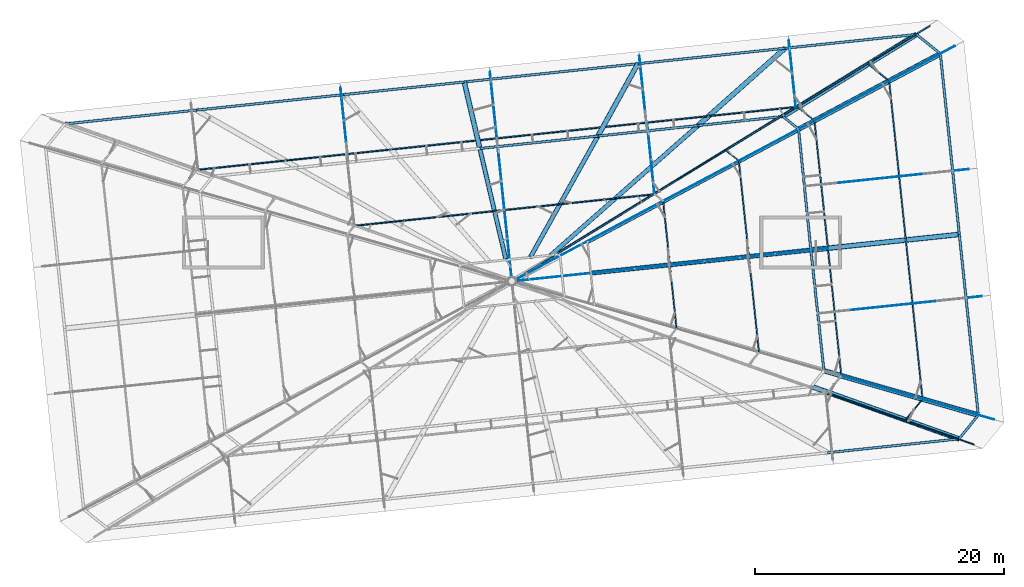
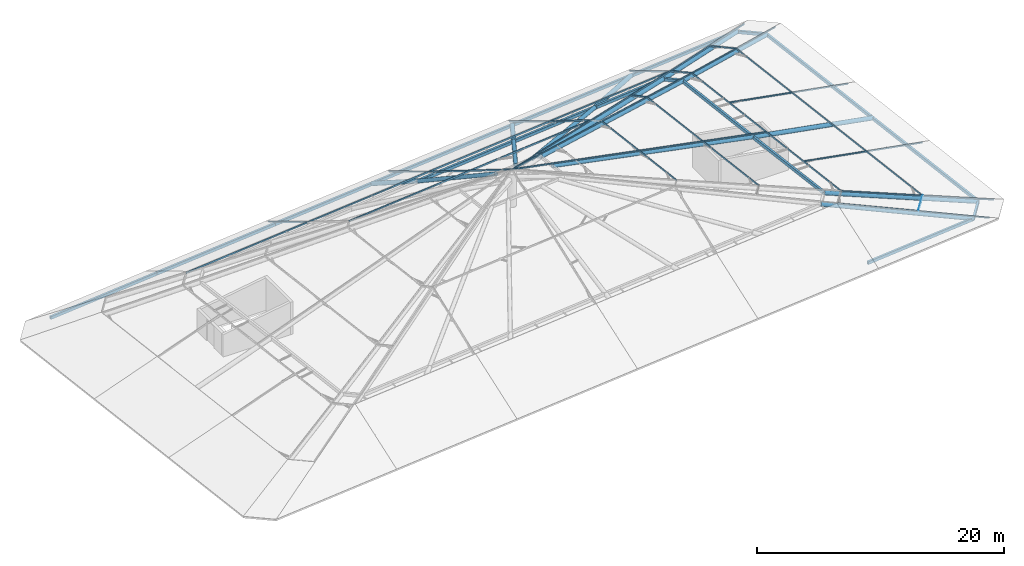
# One storey, part 3 of 20: 39 members, 17 beams, 7 elements without a shape of their own.
"""IFC4 building model written with IfcOpenShell, lengths in metres."""

from ifc_helpers import new_model, si_unit, direction, frame, origin, origin_2d, place, context, subcontext, project, spatial, rectangle, hollow_rectangle, hollow_circle, extrude, material, layer, layer_set, material_profile, profile_set, type_object, element, aggregate, save


model = new_model("IFC4")

# Units and contexts
model_context = context("Model", 3, precision=1e-05, world=origin(), true_north=direction((0.0, 1.0)))
body_context = subcontext(model_context, "Body", "Model", "MODEL_VIEW")
ifc_project = project(units=[si_unit("LENGTHUNIT", "METRE"), si_unit("AREAUNIT", "SQUARE_METRE"), si_unit("VOLUMEUNIT", "CUBIC_METRE"), si_unit("PLANEANGLEUNIT", "RADIAN"), si_unit("MASSUNIT", "GRAM", prefix="KILO")], contexts=[model_context])

# Site, building, storey
site_placement = place(None, origin())
site = spatial("IfcSite", under=ifc_project, at=site_placement, CompositionType="ELEMENT")
building_placement = place(site_placement, origin())
building = spatial("IfcBuilding", under=site, at=building_placement, Name="Hakoniwa Tower and Hamabe Station Hall", CompositionType="ELEMENT")
storey_placement = place(building_placement, frame((0.0, 0.0, 285.0)))
storey = spatial("IfcBuildingStorey", under=building, at=storey_placement, Name="Roof", CompositionType="ELEMENT", Elevation=285.0)

# Members
ifc_material_1 = material(Name="Steel STK490", Category="steel")
ifc_material_profile_1 = material_profile(ifc_material_1, hollow_circle(Radius=0.177734375, WallThickness=0.0126953125, at=origin_2d()), Name="CHS-355.6x12.7")
ifc_profile_set_1 = profile_set([ifc_material_profile_1], Name="Steel STK490")
member_type_1 = type_object("IfcMemberType", Name="CROWN RIB CHS-355.6x12.7", PredefinedType="MEMBER", material=ifc_profile_set_1)
member_1_placement = place(storey_placement, frame((14.938720703125, 15.014892578125, 3.199951171875), z_axis=(-0.709857797953, -0.62515777263, 0.324468281972), x_axis=(0.660915567268, -0.750460267398, 0.0)))
element("IfcMember", 1, at=member_1_placement, inside=storey, type_object=member_type_1, Name="CROWN FRAME CRB-03", PredefinedType="MEMBER", context=body_context, shape_type="SweptSolid", body=[
    extrude(hollow_circle(Radius=0.177734375, WallThickness=0.0126953125, at=origin_2d()), origin(), (0.0, 0.0, 1.0), 16.64306640625),
])
member_2_placement = place(storey_placement, frame((6.900390625, 14.170166015625, 3.199951171875), z_axis=(-0.438467169555, -0.785905684686, 0.43600320641), x_axis=(0.873281797417, -0.487215457781, 0.0)))
element("IfcMember", 2, at=member_2_placement, inside=storey, type_object=member_type_1, Name="CROWN FRAME CRB-04", PredefinedType="MEMBER", context=body_context, shape_type="SweptSolid", body=[
    extrude(hollow_circle(Radius=0.177734375, WallThickness=0.0126953125, at=origin_2d()), origin(), (0.0, 0.0, 1.0), 12.385498046875),
])
member_3_placement = place(storey_placement, frame((-2.584716796875, 13.173095703125, 3.199951171875), z_axis=(0.197231479814, -0.839196117526, 0.506803334341), x_axis=(0.973475697054, 0.228790443954, 0.0)))
element("IfcMember", 3, at=member_3_placement, inside=storey, type_object=member_type_1, Name="CROWN FRAME CRB-05", PredefinedType="MEMBER", context=body_context, shape_type="SweptSolid", body=[
    extrude(hollow_circle(Radius=0.177734375, WallThickness=0.0126953125, at=origin_2d()), origin(), (0.0, 0.0, 1.0), 10.6552734375),
])
member_4_placement = place(storey_placement, frame((23.9951171875, 5.02197265625, 3.199951171875), z_axis=(-0.960394605151, -0.100943997903, 0.259716213751), x_axis=(0.10453098016, -0.994521630829, 0.0)))
element("IfcMember", 4, at=member_4_placement, inside=storey, type_object=member_type_1, Name="CROWN FRAME CRB-20", PredefinedType="MEMBER", context=body_context, shape_type="SweptSolid", body=[
    extrude(hollow_circle(Radius=0.177734375, WallThickness=0.0126953125, at=origin_2d()), origin(), (0.0, 0.0, 1.0), 20.79248046875),
])
ifc_material_2 = material(Name="Steel STK490", Category="steel")
ifc_material_profile_2 = material_profile(ifc_material_2, hollow_circle(Radius=0.203125, WallThickness=0.01611328125, at=origin_2d()), Name="CHS-406.4x16")
ifc_profile_set_2 = profile_set([ifc_material_profile_2], Name="Steel STK490")
member_type_2 = type_object("IfcMemberType", Name="CROWN RIB CHS-406.4x16", PredefinedType="MEMBER", material=ifc_profile_set_2)
member_5_placement = place(storey_placement, frame((34.38818359375, 20.7802734375, 0.14990234375), z_axis=(-0.85925987518, -0.456795111235, 0.230240511767), x_axis=(0.46940629538, -0.88298229306, 0.0)))
element("IfcMember", 5, at=member_5_placement, inside=storey, type_object=member_type_2, Name="CROWN FRAME CH-1-1", PredefinedType="MEMBER", context=body_context, shape_type="SweptSolid", body=[
    extrude(hollow_circle(Radius=0.203125, WallThickness=0.01611328125, at=origin_2d()), origin(), (0.0, 0.0, 1.0), 13.247314453125),
])
member_6_placement = place(storey_placement, frame((23.00537109375, 14.72900390625, 3.199951171875), z_axis=(-0.856822837257, -0.455496060515, 0.24161532321), x_axis=(0.469403494722, -0.882983781925, 0.0)))
element("IfcMember", 6, at=member_6_placement, inside=storey, type_object=member_type_2, Name="CROWN FRAME CH-1-2", PredefinedType="MEMBER", context=body_context, shape_type="SweptSolid", body=[
    extrude(hollow_circle(Radius=0.203125, WallThickness=0.01611328125, at=origin_2d()), origin(), (0.0, 0.0, 1.0), 22.35009765625),
])
member_7_placement = place(storey_placement, frame((32.475341796875, 22.32958984375, 0.14990234375), z_axis=(-0.828119300179, -0.508656064684, 0.235557705308), x_axis=(0.523383896937, -0.852096999424, 0.0)))
element("IfcMember", 7, at=member_7_placement, inside=storey, type_object=member_type_2, Name="CROWN FRAME CH-2-1", PredefinedType="MEMBER", context=body_context, shape_type="SweptSolid", body=[
    extrude(hollow_circle(Radius=0.203125, WallThickness=0.01611328125, at=origin_2d()), origin(), (0.0, 0.0, 1.0), 12.9482421875),
])
member_8_placement = place(storey_placement, frame((21.752685546875, 15.743408203125, 3.199951171875), z_axis=(-0.825956394147, -0.506681479696, 0.247123275107), x_axis=(0.522899711615, -0.852394211379, 0.0)))
element("IfcMember", 8, at=member_8_placement, inside=storey, type_object=member_type_2, Name="CROWN FRAME CH-2-2", PredefinedType="MEMBER", context=body_context, shape_type="SweptSolid", body=[
    extrude(hollow_circle(Radius=0.203125, WallThickness=0.01611328125, at=origin_2d()), origin(), (0.0, 0.0, 1.0), 21.85205078125),
])
member_9_placement = place(storey_placement, frame((21.916748046875, 21.2197265625, 0.14990234375), z_axis=(-0.710360571468, -0.631649776918, 0.310493828961), x_axis=(0.664492032964, -0.747295348659, 0.0)))
element("IfcMember", 9, at=member_9_placement, inside=storey, type_object=member_type_2, Name="CROWN FRAME CRF-03", PredefinedType="MEMBER", context=body_context, shape_type="SweptSolid", body=[
    extrude(hollow_circle(Radius=0.203125, WallThickness=0.01611328125, at=origin_2d()), origin(), (0.0, 0.0, 1.0), 9.8232421875),
])
member_10_placement = place(storey_placement, frame((10.10498046875, 19.978271484375, 0.14990234375), z_axis=(-0.438917858324, -0.795509359252, 0.417751089749), x_axis=(0.875570168766, -0.48309096407, 0.0)))
element("IfcMember", 10, at=member_10_placement, inside=storey, type_object=member_type_2, Name="CROWN FRAME CRF-04", PredefinedType="MEMBER", context=body_context, shape_type="SweptSolid", body=[
    extrude(hollow_circle(Radius=0.203125, WallThickness=0.01611328125, at=origin_2d()), origin(), (0.0, 0.0, 1.0), 7.301025390625),
])
member_11_placement = place(storey_placement, frame((-3.832763671875, 18.51318359375, 0.14990234375), z_axis=(0.198888566942, -0.850995622988, 0.486055333882), x_axis=(0.973759380368, 0.227580028, 0.0)))
element("IfcMember", 11, at=member_11_placement, inside=storey, type_object=member_type_2, Name="CROWN FRAME CRF-05", PredefinedType="MEMBER", context=body_context, shape_type="SweptSolid", body=[
    extrude(hollow_circle(Radius=0.203125, WallThickness=0.01611328125, at=origin_2d()), origin(), (0.0, 0.0, 1.0), 6.275146484375),
])
member_12_placement = place(storey_placement, frame((35.888427734375, -10.14404296875, 0.14990234375), z_axis=(-0.915783870683, 0.325348487485, 0.235559469959), x_axis=(-0.334768905761, -0.942300259862, 0.0)))
element("IfcMember", 12, at=member_12_placement, inside=storey, type_object=member_type_2, Name="CROWN FRAME CH-7-1", PredefinedType="MEMBER", context=body_context, shape_type="SweptSolid", body=[
    extrude(hollow_circle(Radius=0.203125, WallThickness=0.01611328125, at=origin_2d()), origin(), (0.0, 0.0, 1.0), 12.947998046875),
])
member_13_placement = place(storey_placement, frame((37.4375, -8.231201171875, 0.14990234375), z_axis=(-0.935455863756, 0.268165611488, 0.230237989438), x_axis=(-0.275568949724, -0.961281308436, 0.0)))
element("IfcMember", 13, at=member_13_placement, inside=storey, type_object=member_type_2, Name="CROWN FRAME CH-8-1", PredefinedType="MEMBER", context=body_context, shape_type="SweptSolid", body=[
    extrude(hollow_circle(Radius=0.203125, WallThickness=0.01611328125, at=origin_2d()), origin(), (0.0, 0.0, 1.0), 13.247314453125),
])
member_14_placement = place(storey_placement, frame((35.9130859375, 6.274658203125, 0.14990234375), z_axis=(-0.963794183339, -0.101303424179, 0.246654390619), x_axis=(0.1045331311, -0.994521404748, 0.0)))
element("IfcMember", 14, at=member_14_placement, inside=storey, type_object=member_type_2, Name="CROWN FRAME CRF-20", PredefinedType="MEMBER", context=body_context, shape_type="SweptSolid", body=[
    extrude(hollow_circle(Radius=0.203125, WallThickness=0.01611328125, at=origin_2d()), origin(), (0.0, 0.0, 1.0), 12.36572265625),
])

# Beams
ifc_material_3 = material(Name="Steel STKR400", Category="steel")
ifc_material_profile_3 = material_profile(ifc_material_3, hollow_rectangle(XDim=0.199951171875, YDim=0.300048828125, WallThickness=0.009033203125, InnerFilletRadius=0.00439453125, OuterFilletRadius=0.013427734375, at=origin_2d()), Name="RHS-300x200x9")
ifc_profile_set_3 = profile_set([ifc_material_profile_3], Name="Steel STKR400")
beam_type = type_object("IfcBeamType", Name="CROWN RING BEAM RHS-300x200x9", PredefinedType="BEAM", material=ifc_profile_set_3)
beam_1_placement = place(storey_placement, frame((34.38818359375, 20.7802734375, 0.14990234375), z_axis=(-0.777080856479, 0.6294007805, 0.0), x_axis=(-0.6294007805, -0.777080856479, 0.0)))
element("IfcBeam", 15, at=beam_1_placement, inside=storey, type_object=beam_type, Name="CROWN FRAME CRA-01", PredefinedType="BEAM", context=body_context, shape_type="SweptSolid", body=[
    extrude(hollow_rectangle(XDim=0.199951171875, YDim=0.300048828125, WallThickness=0.009033203125, InnerFilletRadius=0.00439453125, OuterFilletRadius=0.013427734375, at=origin_2d()), origin(), (0.0, 0.0, 1.0), 2.461669921875),
])
beam_2_placement = place(storey_placement, frame((32.475341796875, 22.32958984375, 0.14990234375), z_axis=(-0.99452081471, -0.104538744535, 0.0), x_axis=(0.104538744535, -0.99452081471, 0.0)))
element("IfcBeam", 16, at=beam_2_placement, inside=storey, type_object=beam_type, Name="CROWN FRAME CRA-02", PredefinedType="BEAM", context=body_context, shape_type="SweptSolid", body=[
    extrude(hollow_rectangle(XDim=0.199951171875, YDim=0.300048828125, WallThickness=0.009033203125, InnerFilletRadius=0.00439453125, OuterFilletRadius=0.013427734375, at=origin_2d()), origin(), (0.0, 0.0, 1.0), 10.61669921875),
])
beam_3_placement = place(storey_placement, frame((21.916748046875, 21.2197265625, 0.14990234375), z_axis=(-0.994521997954, -0.104527487228, 0.0), x_axis=(0.104527487228, -0.994521997954, 0.0)))
element("IfcBeam", 17, at=beam_3_placement, inside=storey, type_object=beam_type, Name="CROWN FRAME CRA-03", PredefinedType="BEAM", context=body_context, shape_type="SweptSolid", body=[
    extrude(hollow_rectangle(XDim=0.199951171875, YDim=0.300048828125, WallThickness=0.009033203125, InnerFilletRadius=0.00439453125, OuterFilletRadius=0.013427734375, at=origin_2d()), origin(), (0.0, 0.0, 1.0), 11.876708984375),
])
beam_4_placement = place(storey_placement, frame((10.10498046875, 19.978271484375, 0.14990234375), z_axis=(-0.994520619808, -0.104540598705, 0.0), x_axis=(0.104540598705, -0.994520619808, 0.0)))
element("IfcBeam", 18, at=beam_4_placement, inside=storey, type_object=beam_type, Name="CROWN FRAME CRA-04", PredefinedType="BEAM", context=body_context, shape_type="SweptSolid", body=[
    extrude(hollow_rectangle(XDim=0.199951171875, YDim=0.300048828125, WallThickness=0.009033203125, InnerFilletRadius=0.00439453125, OuterFilletRadius=0.013427734375, at=origin_2d()), origin(), (0.0, 0.0, 1.0), 14.0146484375),
])
beam_5_placement = place(storey_placement, frame((-3.832763671875, 18.51318359375, 0.14990234375), z_axis=(-0.994523706989, -0.104511225409, 0.0), x_axis=(0.104511225409, -0.994523706989, 0.0)))
element("IfcBeam", 19, at=beam_5_placement, inside=storey, type_object=beam_type, Name="CROWN FRAME CRA-05", PredefinedType="BEAM", context=body_context, shape_type="SweptSolid", body=[
    extrude(hollow_rectangle(XDim=0.199951171875, YDim=0.300048828125, WallThickness=0.009033203125, InnerFilletRadius=0.00439453125, OuterFilletRadius=0.013427734375, at=origin_2d()), origin(), (0.0, 0.0, 1.0), 9.73876953125),
])
beam_6_placement = place(storey_placement, frame((-13.518310546875, 17.495361328125, 0.14990234375), z_axis=(-0.994521773352, -0.104529624173, 0.0), x_axis=(0.104529624173, -0.994521773352, 0.0)))
element("IfcBeam", 20, at=beam_6_placement, inside=storey, type_object=beam_type, Name="CROWN FRAME CRA-06", PredefinedType="BEAM", context=body_context, shape_type="SweptSolid", body=[
    extrude(hollow_rectangle(XDim=0.199951171875, YDim=0.300048828125, WallThickness=0.009033203125, InnerFilletRadius=0.00439453125, OuterFilletRadius=0.013427734375, at=origin_2d()), origin(), (0.0, 0.0, 1.0), 11.87646484375),
])
for number, where, z_axis, x_axis, name in (
    (21, (-25.329833984375, 16.25390625, 0.14990234375), (-0.99452081471, -0.104538744535, 0.0), (0.104538744535, -0.99452081471, 0.0), "CROWN FRAME CRA-07"),
    (22, (25.329833984375, -11.25390625, 0.14990234375), (0.99452081471, 0.104538744535, 0.0), (-0.104538744535, 0.99452081471, 0.0), "CROWN FRAME CRA-17"),
):
    element("IfcBeam", number, at=place(storey_placement, frame(where, z_axis=z_axis, x_axis=x_axis)), inside=storey, type_object=beam_type, Name=name, PredefinedType="BEAM", context=body_context, shape_type="SweptSolid", body=[
        extrude(hollow_rectangle(XDim=0.199951171875, YDim=0.300048828125, WallThickness=0.009033203125, InnerFilletRadius=0.00439453125, OuterFilletRadius=0.013427734375, at=origin_2d()), origin(), (0.0, 0.0, 1.0), 10.61669921875),
    ])
beam_7_placement = place(storey_placement, frame((35.888427734375, -10.14404296875, 0.14990234375), z_axis=(0.629340884158, 0.777129366017, 0.0), x_axis=(-0.777129366017, 0.629340884158, 0.0)))
element("IfcBeam", 23, at=beam_7_placement, inside=storey, type_object=beam_type, Name="CROWN FRAME CRA-18", PredefinedType="BEAM", context=body_context, shape_type="SweptSolid", body=[
    extrude(hollow_rectangle(XDim=0.199951171875, YDim=0.300048828125, WallThickness=0.009033203125, InnerFilletRadius=0.00439453125, OuterFilletRadius=0.013427734375, at=origin_2d()), origin(), (0.0, 0.0, 1.0), 2.46142578125),
])
beam_8_placement = place(storey_placement, frame((37.4375, -8.231201171875, 0.14990234375), z_axis=(-0.104514006356, 0.994523414745, 0.0), x_axis=(-0.994523414745, -0.104514006356, 0.0)))
element("IfcBeam", 24, at=beam_8_placement, inside=storey, type_object=beam_type, Name="CROWN FRAME CRA-19", PredefinedType="BEAM", context=body_context, shape_type="SweptSolid", body=[
    extrude(hollow_rectangle(XDim=0.199951171875, YDim=0.300048828125, WallThickness=0.009033203125, InnerFilletRadius=0.00439453125, OuterFilletRadius=0.013427734375, at=origin_2d()), origin(), (0.0, 0.0, 1.0), 14.585693359375),
])
beam_9_placement = place(storey_placement, frame((35.9130859375, 6.274658203125, 0.14990234375), z_axis=(-0.104548857506, 0.994519751636, 0.0), x_axis=(-0.994519751636, -0.104548857506, 0.0)))
element("IfcBeam", 25, at=beam_9_placement, inside=storey, type_object=beam_type, Name="CROWN FRAME CRA-20", PredefinedType="BEAM", context=body_context, shape_type="SweptSolid", body=[
    extrude(hollow_rectangle(XDim=0.199951171875, YDim=0.300048828125, WallThickness=0.009033203125, InnerFilletRadius=0.00439453125, OuterFilletRadius=0.013427734375, at=origin_2d()), origin(), (0.0, 0.0, 1.0), 14.58544921875),
])
beam_10_placement = place(storey_placement, frame((23.00537109375, 14.72900390625, 3.199951171875), z_axis=(-0.777146100299, 0.629320219595, 0.0), x_axis=(-0.629320219595, -0.777146100299, 0.0)))
element("IfcBeam", 26, at=beam_10_placement, inside=storey, type_object=beam_type, Name="CROWN FRAME CR1-01", PredefinedType="BEAM", context=body_context, shape_type="SweptSolid", body=[
    extrude(hollow_rectangle(XDim=0.199951171875, YDim=0.300048828125, WallThickness=0.009033203125, InnerFilletRadius=0.00439453125, OuterFilletRadius=0.013427734375, at=origin_2d()), origin(), (0.0, 0.0, 1.0), 1.61181640625),
])
beam_11_placement = place(storey_placement, frame((21.752685546875, 15.743408203125, 3.199951171875), z_axis=(-0.994333119254, -0.106309209167, 0.0), x_axis=(0.106309209167, -0.994333119254, 0.0)))
element("IfcBeam", 27, at=beam_11_placement, inside=storey, type_object=beam_type, Name="CROWN FRAME CR1-02", PredefinedType="BEAM", context=body_context, shape_type="SweptSolid", body=[
    extrude(hollow_rectangle(XDim=0.199951171875, YDim=0.300048828125, WallThickness=0.009033203125, InnerFilletRadius=0.00439453125, OuterFilletRadius=0.013427734375, at=origin_2d()), origin(), (0.0, 0.0, 1.0), 6.852783203125),
])
beam_12_placement = place(storey_placement, frame((14.938720703125, 15.014892578125, 3.199951171875), z_axis=(-0.994523644075, -0.1045118241, 0.0), x_axis=(0.1045118241, -0.994523644075, 0.0)))
element("IfcBeam", 28, at=beam_12_placement, inside=storey, type_object=beam_type, Name="CROWN FRAME CR1-03", PredefinedType="BEAM", context=body_context, shape_type="SweptSolid", body=[
    extrude(hollow_rectangle(XDim=0.199951171875, YDim=0.300048828125, WallThickness=0.009033203125, InnerFilletRadius=0.00439453125, OuterFilletRadius=0.013427734375, at=origin_2d()), origin(), (0.0, 0.0, 1.0), 8.08251953125),
])
beam_13_placement = place(storey_placement, frame((6.900390625, 14.170166015625, 3.199951171875), z_axis=(-0.994520310956, -0.104543536844, 0.0), x_axis=(0.104543536844, -0.994520310956, 0.0)))
element("IfcBeam", 29, at=beam_13_placement, inside=storey, type_object=beam_type, Name="CROWN FRAME CR1-04", PredefinedType="BEAM", context=body_context, shape_type="SweptSolid", body=[
    extrude(hollow_rectangle(XDim=0.199951171875, YDim=0.300048828125, WallThickness=0.009033203125, InnerFilletRadius=0.00439453125, OuterFilletRadius=0.013427734375, at=origin_2d()), origin(), (0.0, 0.0, 1.0), 9.537353515625),
])
for number, where, z_axis, x_axis, name in (
    (30, (25.045166015625, -4.6787109375, 3.199951171875), (-0.107616197734, 0.994192513543, 0.0), (-0.994192513543, -0.107616197734, 0.0), "CROWN FRAME CR1-19"),
    (31, (23.9951171875, 5.02197265625, 3.199951171875), (-0.101435860078, 0.994842081081, 0.0), (-0.994842081081, -0.101435860078, 0.0), "CROWN FRAME CR1-20"),
):
    element("IfcBeam", number, at=place(storey_placement, frame(where, z_axis=z_axis, x_axis=x_axis)), inside=storey, type_object=beam_type, Name=name, PredefinedType="BEAM", context=body_context, shape_type="SweptSolid", body=[
        extrude(hollow_rectangle(XDim=0.199951171875, YDim=0.300048828125, WallThickness=0.009033203125, InnerFilletRadius=0.00439453125, OuterFilletRadius=0.013427734375, at=origin_2d()), origin(), (0.0, 0.0, 1.0), 9.75732421875),
    ])

# Curtain wall, members
ifc_material_4 = material(Name="Dark low-e laminated glass", Category="glass")
ifc_layer = layer(ifc_material_4, 0.199951171875)
ifc_layer_set = layer_set([ifc_layer], Name="CW-4 CROWN FACETS")
curtain_wall_type = type_object("IfcCurtainWallType", Name="CW-4 CROWN FACETS", PredefinedType="NOTDEFINED", material=ifc_layer_set)
curtain_wall_1_placement = place(storey_placement, origin())
curtain_wall_1 = element("IfcCurtainWall", 32, at=curtain_wall_1_placement, inside=storey, type_object=curtain_wall_type, Name="Crown tent facet", PredefinedType="NOTDEFINED")
ifc_material_5 = material(Name="Aluminium 6063-T5 black anodised", Category="aluminium")
ifc_material_profile_4 = material_profile(ifc_material_5, rectangle(XDim=0.06005859375, YDim=0.1201171875, at=origin_2d()), Name="CW-4 GLAZING BAR 60X120")
ifc_profile_set_4 = profile_set([ifc_material_profile_4], Name="Aluminium 6063-T5 black anodised")
member_type_3 = type_object("IfcMemberType", Name="CW-4 GLAZING BAR 60X120", PredefinedType="MULLION", material=ifc_profile_set_4)
member_15_placement = place(storey_placement, frame((-1.206787109375, 13.982177734375, 3.122314453125), z_axis=(0.090146821884, -0.857717009915, 0.506157170657), x_axis=(0.994522266676, 0.104524930445, -4.16531e-07)))
member_15 = element("IfcMember", 33, at=member_15_placement, type_object=member_type_3, Name="Crown glazing bar", PredefinedType="MULLION", context=body_context, shape_type="SweptSolid", body=[
    extrude(rectangle(XDim=0.06005859375, YDim=0.1201171875, at=origin_2d()), origin(), (0.0, 0.0, 1.0), 13.386962890625),
])
member_16_placement = place(storey_placement, frame((10.850341796875, 15.24951171875, 3.122314453125), z_axis=(0.088895453943, -0.857926711997, 0.506023077646), x_axis=(0.994635160416, 0.103443111645, 0.000648319363)))
member_16 = element("IfcMember", 34, at=member_16_placement, type_object=member_type_3, Name="Crown glazing bar", PredefinedType="MULLION", context=body_context, shape_type="SweptSolid", body=[
    extrude(rectangle(XDim=0.06005859375, YDim=0.1201171875, at=origin_2d()), origin(), (0.0, 0.0, 1.0), 6.703857421875),
])

curtain_wall_2_placement = place(storey_placement, origin())
curtain_wall_2 = element("IfcCurtainWall", 35, at=curtain_wall_2_placement, inside=storey, type_object=curtain_wall_type, Name="Crown tent facet", PredefinedType="NOTDEFINED")
member_17_placement = place(storey_placement, frame((-13.76953125, 18.1015625, 0.090087890625), z_axis=(0.091171655854, -0.867547906607, 0.488925719215), x_axis=(0.994523242325, 0.104515647038, 1.5e-11)))
member_17 = element("IfcMember", 36, at=member_17_placement, type_object=member_type_3, Name="Crown glazing bar", PredefinedType="MULLION", context=body_context, shape_type="SweptSolid", body=[
    extrude(rectangle(XDim=0.06005859375, YDim=0.1201171875, at=origin_2d()), origin(), (0.0, 0.0, 1.0), 6.201904296875),
])
member_18_placement = place(storey_placement, frame((-1.772216796875, 19.362548828125, 0.090087890625), z_axis=(0.091171655854, -0.867547906607, 0.488925719215), x_axis=(0.994523242325, 0.104515647038, 1.5e-11)))
member_18 = element("IfcMember", 37, at=member_18_placement, type_object=member_type_3, Name="Crown glazing bar", PredefinedType="MULLION", context=body_context, shape_type="SweptSolid", body=[
    extrude(rectangle(XDim=0.06005859375, YDim=0.1201171875, at=origin_2d()), origin(), (0.0, 0.0, 1.0), 6.201904296875),
])
member_19_placement = place(storey_placement, frame((10.224853515625, 20.62353515625, 0.090087890625), z_axis=(0.091210694423, -0.867544792267, 0.48892396406), x_axis=(0.994518550631, 0.104560281423, 1.5e-11)))
member_19 = element("IfcMember", 38, at=member_19_placement, type_object=member_type_3, Name="Crown glazing bar", PredefinedType="MULLION", context=body_context, shape_type="SweptSolid", body=[
    extrude(rectangle(XDim=0.06005859375, YDim=0.1201171875, at=origin_2d()), origin(), (0.0, 0.0, 1.0), 6.201904296875),
])
member_20_placement = place(storey_placement, frame((22.22216796875, 21.884521484375, 0.090087890625), z_axis=(0.091171655854, -0.867547906607, 0.488925719215), x_axis=(0.994523242325, 0.104515647038, 1.5e-11)))
member_20 = element("IfcMember", 39, at=member_20_placement, type_object=member_type_3, Name="Crown glazing bar", PredefinedType="MULLION", context=body_context, shape_type="SweptSolid", body=[
    extrude(rectangle(XDim=0.06005859375, YDim=0.1201171875, at=origin_2d()), origin(), (0.0, 0.0, 1.0), 6.201904296875),
])

curtain_wall_3_placement = place(storey_placement, origin())
curtain_wall_3 = element("IfcCurtainWall", 40, at=curtain_wall_3_placement, inside=storey, type_object=curtain_wall_type, Name="Crown tent facet", PredefinedType="NOTDEFINED")
member_21_placement = place(storey_placement, frame((12.135498046875, 8.951171875, 6.51220703125), z_axis=(0.104536644512, -0.994521035451, 0.0), x_axis=(0.961008421056, 0.101014048074, -0.257408190916)))
member_21 = element("IfcMember", 41, at=member_21_placement, type_object=member_type_3, Name="Crown glazing bar", PredefinedType="MULLION", context=body_context, shape_type="SweptSolid", body=[
    extrude(rectangle(XDim=0.06005859375, YDim=0.1201171875, at=origin_2d()), origin(), (0.0, 0.0, 1.0), 10.294677734375),
])
member_22_placement = place(storey_placement, frame((18.212890625, 12.181884765625, 4.812255859375), z_axis=(0.10452931889, -0.994521805438, 0.0), x_axis=(0.961009165097, 0.101006969305, -0.257408190916)))
member_22 = element("IfcMember", 42, at=member_22_placement, type_object=member_type_3, Name="Crown glazing bar", PredefinedType="MULLION", context=body_context, shape_type="SweptSolid", body=[
    extrude(rectangle(XDim=0.06005859375, YDim=0.1201171875, at=origin_2d()), origin(), (0.0, 0.0, 1.0), 15.4501953125),
])
member_23_placement = place(storey_placement, frame((24.28564453125, 15.410400390625, 3.101806640625), z_axis=(0.104519463551, -0.994522841165, 1.1850279e-05), x_axis=(0.962418564973, 0.101142458771, -0.252033150258)))
member_23 = element("IfcMember", 43, at=member_23_placement, type_object=member_type_3, Name="Crown glazing bar", PredefinedType="MULLION", context=body_context, shape_type="SweptSolid", body=[
    extrude(rectangle(XDim=0.06005859375, YDim=0.1201171875, at=origin_2d()), origin(), (0.0, 0.0, 1.0), 20.60205078125),
])

# Curtain wall, member
curtain_wall_4_placement = place(storey_placement, origin())
curtain_wall_4 = element("IfcCurtainWall", 44, at=curtain_wall_4_placement, inside=storey, type_object=curtain_wall_type, Name="Crown tent facet", PredefinedType="NOTDEFINED")
member_24_placement = place(storey_placement, frame((30.277587890625, 18.595703125, 1.511962890625), z_axis=(0.104536348596, -0.994521066555, 0.0), x_axis=(0.963794885217, 0.101306650492, -0.246650322919)))
member_24 = element("IfcMember", 45, at=member_24_placement, type_object=member_type_3, Name="Crown glazing bar", PredefinedType="MULLION", context=body_context, shape_type="SweptSolid", body=[
    extrude(rectangle(XDim=0.06005859375, YDim=0.1201171875, at=origin_2d()), origin(), (0.0, 0.0, 1.0), 25.685302734375),
])

curtain_wall_5_placement = place(storey_placement, origin())
curtain_wall_5 = element("IfcCurtainWall", 46, at=curtain_wall_5_placement, inside=storey, type_object=curtain_wall_type, Name="Crown tent facet", PredefinedType="NOTDEFINED")
member_25_placement = place(storey_placement, frame((31.5517578125, -8.677734375, 1.51416015625), z_axis=(0.632283722648, 0.774736293489, -0.00098469519), x_axis=(-0.750311264564, 0.612665426063, 0.248342670468)))
member_25 = element("IfcMember", 47, at=member_25_placement, type_object=member_type_3, Name="Crown glazing bar", PredefinedType="MULLION", context=body_context, shape_type="SweptSolid", body=[
    extrude(rectangle(XDim=0.06005859375, YDim=0.1201171875, at=origin_2d()), origin(), (0.0, 0.0, 1.0), 2.2314453125),
])

curtain_wall_6_placement = place(storey_placement, origin())
curtain_wall_6 = element("IfcCurtainWall", 48, at=curtain_wall_6_placement, inside=storey, type_object=curtain_wall_type, Name="Crown tent facet", PredefinedType="NOTDEFINED")
member_26_placement = place(storey_placement, frame((17.172119140625, 13.013671875, 4.814453125), z_axis=(0.781171572915, -0.624314226817, -0.001649201069), x_axis=(0.602651024616, 0.754750149336, -0.259160094547)))
member_26 = element("IfcMember", 49, at=member_26_placement, type_object=member_type_3, Name="Crown glazing bar", PredefinedType="MULLION", context=body_context, shape_type="SweptSolid", body=[
    extrude(rectangle(XDim=0.06005859375, YDim=0.1201171875, at=origin_2d()), origin(), (0.0, 0.0, 1.0), 1.332275390625),
])
aggregate(curtain_wall_6, [member_26])

# Curtain wall, members
curtain_wall_7_placement = place(storey_placement, origin())
curtain_wall_7 = element("IfcCurtainWall", 50, at=curtain_wall_7_placement, inside=storey, type_object=curtain_wall_type, Name="Crown tent facet", PredefinedType="NOTDEFINED")
member_27_placement = place(storey_placement, frame((22.886962890625, 16.51953125, 3.106689453125), z_axis=(0.783540667742, -0.621334483078, -0.002735348814), x_axis=(0.600457162684, 0.758330175138, -0.253745031984)))
member_27 = element("IfcMember", 51, at=member_27_placement, type_object=member_type_3, Name="Crown glazing bar", PredefinedType="MULLION", context=body_context, shape_type="SweptSolid", body=[
    extrude(rectangle(XDim=0.06005859375, YDim=0.1201171875, at=origin_2d()), origin(), (0.0, 0.0, 1.0), 1.78515625),
])
member_28_placement = place(storey_placement, frame((28.538330078125, 19.993408203125, 1.51416015625), z_axis=(0.779489475739, -0.626414549214, -0.000984756497), x_axis=(0.606600025862, 0.755223348237, -0.248342712601)))
member_28 = element("IfcMember", 52, at=member_28_placement, type_object=member_type_3, Name="Crown glazing bar", PredefinedType="MULLION", context=body_context, shape_type="SweptSolid", body=[
    extrude(rectangle(XDim=0.06005859375, YDim=0.1201171875, at=origin_2d()), origin(), (0.0, 0.0, 1.0), 2.231201171875),
])

# Member
member_29_placement = place(storey_placement, frame((0.0, 2.5, 9.88671875), z_axis=(0.826753019895, 0.506359986817, -0.245110195312), x_axis=(-0.559745630575, 0.783990326151, -0.26841012938)))
member_29 = element("IfcMember", 53, at=member_29_placement, type_object=member_type_3, Name="Crown glazing bar", PredefinedType="MULLION", context=body_context, shape_type="SweptSolid", body=[
    extrude(rectangle(XDim=0.06005859375, YDim=0.1201171875, at=origin_2d()), origin(), (0.0, 0.0, 1.0), 27.68212890625),
])

member_30_placement = place(storey_placement, frame((22.88623046875, 16.51708984375, 3.101806640625), z_axis=(0.830063533021, 0.506110370441, -0.234193988138), x_axis=(-0.555092250129, 0.790163047563, -0.259836394896)))
member_30 = element("IfcMember", 54, at=member_30_placement, type_object=member_type_3, Name="Crown glazing bar", PredefinedType="MULLION", context=body_context, shape_type="SweptSolid", body=[
    extrude(rectangle(XDim=0.06005859375, YDim=0.1201171875, at=origin_2d()), origin(), (0.0, 0.0, 1.0), 12.85986328125),
])

member_31_placement = place(storey_placement, frame((0.0, 2.5, 9.8896484375), z_axis=(0.857246972754, 0.455709774331, -0.239700290536), x_axis=(-0.469911399442, 0.882710379716, -0.002379541106)))
member_31 = element("IfcMember", 55, at=member_31_placement, type_object=member_type_3, Name="Crown glazing bar", PredefinedType="MULLION", context=body_context, shape_type="SweptSolid", body=[
    extrude(rectangle(XDim=0.06005859375, YDim=0.1201171875, at=origin_2d()), origin(), (0.0, 0.0, 1.0), 28.329345703125),
])

member_32_placement = place(storey_placement, frame((24.28515625, 15.409912109375, 3.099365234375), z_axis=(0.859397506294, 0.456819870868, -0.229677016166), x_axis=(-0.469844945821, 0.882745970565, -0.002297463233)))
member_32 = element("IfcMember", 56, at=member_32_placement, type_object=member_type_3, Name="Crown glazing bar", PredefinedType="MULLION", context=body_context, shape_type="SweptSolid", body=[
    extrude(rectangle(XDim=0.06005859375, YDim=0.1201171875, at=origin_2d()), origin(), (0.0, 0.0, 1.0), 13.102294921875),
])

aggregate(curtain_wall_7, [member_27, member_28, member_32])

member_33_placement = place(storey_placement, frame((25.30029296875, -6.452392578125, 3.101806640625), z_axis=(0.917152648787, -0.322468069224, -0.234190869066), x_axis=(0.378674460783, 0.888307604265, 0.259836973803)))
member_33 = element("IfcMember", 57, at=member_33_placement, type_object=member_type_3, Name="Crown glazing bar", PredefinedType="MULLION", context=body_context, shape_type="SweptSolid", body=[
    extrude(rectangle(XDim=0.06005859375, YDim=0.1201171875, at=origin_2d()), origin(), (0.0, 0.0, 1.0), 12.860107421875),
])

member_34_placement = place(storey_placement, frame((26.438232421875, -5.07861328125, 3.099365234375), z_axis=(0.935600531196, -0.268147599069, -0.229670440284), x_axis=(0.276032634382, 0.961145520352, 0.002296402256)))
member_34 = element("IfcMember", 58, at=member_34_placement, type_object=member_type_3, Name="Crown glazing bar", PredefinedType="MULLION", context=body_context, shape_type="SweptSolid", body=[
    extrude(rectangle(XDim=0.06005859375, YDim=0.1201171875, at=origin_2d()), origin(), (0.0, 0.0, 1.0), 13.1025390625),
])

aggregate(curtain_wall_5, [member_25, member_33, member_34])

member_35_placement = place(storey_placement, frame((0.0, 2.5, 9.898193359375), z_axis=(0.961091623375, 0.101014663823, -0.257097120114), x_axis=(-0.104528288578, 0.994521913729, 1.33111e-07)))
member_35 = element("IfcMember", 59, at=member_35_placement, type_object=member_type_3, Name="Crown glazing bar", PredefinedType="MULLION", context=body_context, shape_type="SweptSolid", body=[
    extrude(rectangle(XDim=0.06005859375, YDim=0.1201171875, at=origin_2d()), origin(), (0.0, 0.0, 1.0), 26.392333984375),
])

aggregate(curtain_wall_3, [member_21, member_22, member_23, member_31, member_35])

member_36_placement = place(storey_placement, frame((24.8291015625, 10.267822265625, 3.11279296875), z_axis=(0.96379508575, 0.101302176792, -0.246651376768), x_axis=(-0.104531761205, 0.994521548736, 0.0)))
member_36 = element("IfcMember", 60, at=member_36_placement, type_object=member_type_3, Name="Crown glazing bar", PredefinedType="MULLION", context=body_context, shape_type="SweptSolid", body=[
    extrude(rectangle(XDim=0.06005859375, YDim=0.1201171875, at=origin_2d()), origin(), (0.0, 0.0, 1.0), 12.2548828125),
])

member_37_placement = place(storey_placement, frame((25.901611328125, 0.064208984375, 3.11279296875), z_axis=(0.963797030617, 0.101282459407, -0.246651874492), x_axis=(-0.104511428877, 0.994523685607, 0.0)))
member_37 = element("IfcMember", 61, at=member_37_placement, type_object=member_type_3, Name="Crown glazing bar", PredefinedType="MULLION", context=body_context, shape_type="SweptSolid", body=[
    extrude(rectangle(XDim=0.06005859375, YDim=0.1201171875, at=origin_2d()), origin(), (0.0, 0.0, 1.0), 12.2548828125),
])

aggregate(curtain_wall_4, [member_24, member_36, member_37])

member_38_placement = place(storey_placement, frame((-25.301513671875, 11.45458984375, 3.106689453125), z_axis=(0.994522143621, 0.104526101274, 0.0), x_axis=(-0.090672405502, 0.862710021595, -0.497503702016)))
member_38 = element("IfcMember", 62, at=member_38_placement, type_object=member_type_3, Name="Crown glazing bar", PredefinedType="MULLION", context=body_context, shape_type="SweptSolid", body=[
    extrude(rectangle(XDim=0.06005859375, YDim=0.1201171875, at=origin_2d()), origin(), (0.0, 0.0, 1.0), 48.453857421875),
])

aggregate(curtain_wall_2, [member_17, member_18, member_19, member_20, member_30, member_38])

member_39_placement = place(storey_placement, frame((-12.651123046875, 6.96533203125, 6.5146484375), z_axis=(0.994522003604, 0.104527433466, 0.0), x_axis=(-0.090157696399, 0.857801726208, -0.506011648379)))
member_39 = element("IfcMember", 63, at=member_39_placement, type_object=member_type_3, Name="Crown glazing bar", PredefinedType="MULLION", context=body_context, shape_type="SweptSolid", body=[
    extrude(rectangle(XDim=0.06005859375, YDim=0.1201171875, at=origin_2d()), origin(), (0.0, 0.0, 1.0), 24.230224609375),
])

aggregate(curtain_wall_1, [member_15, member_16, member_29, member_39])

save(model, "model.ifc")
